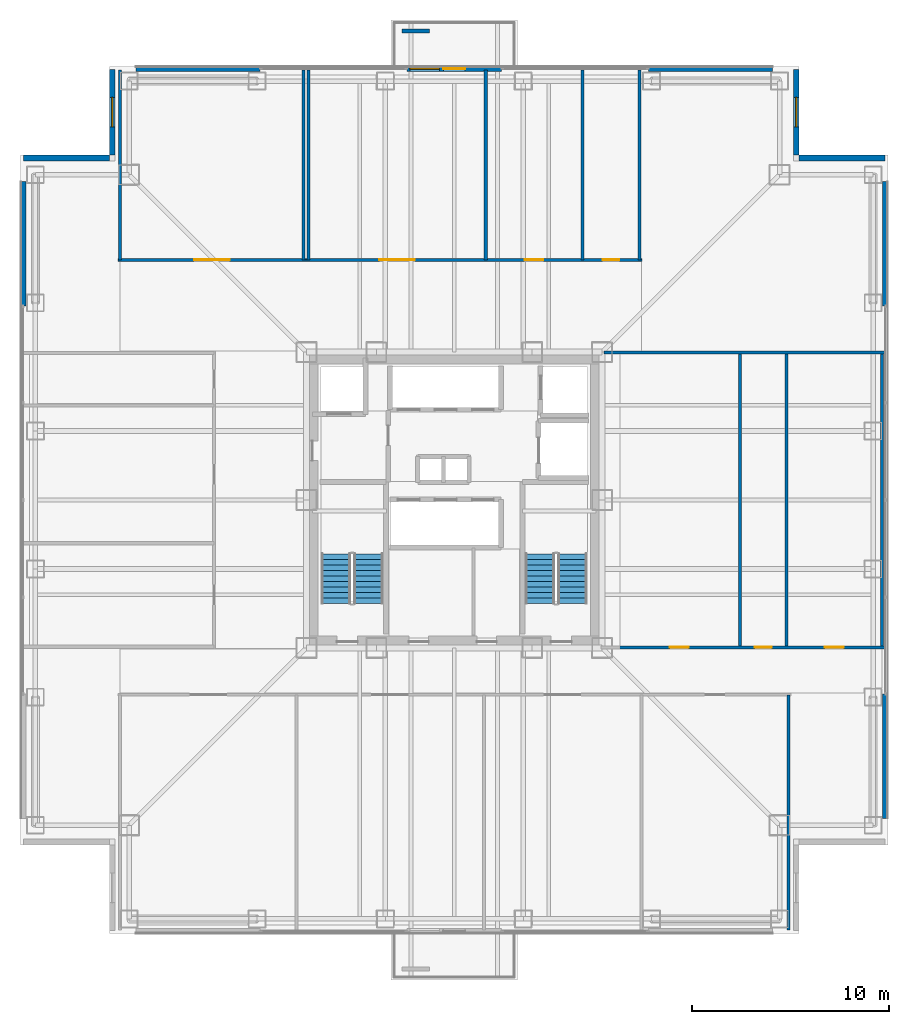
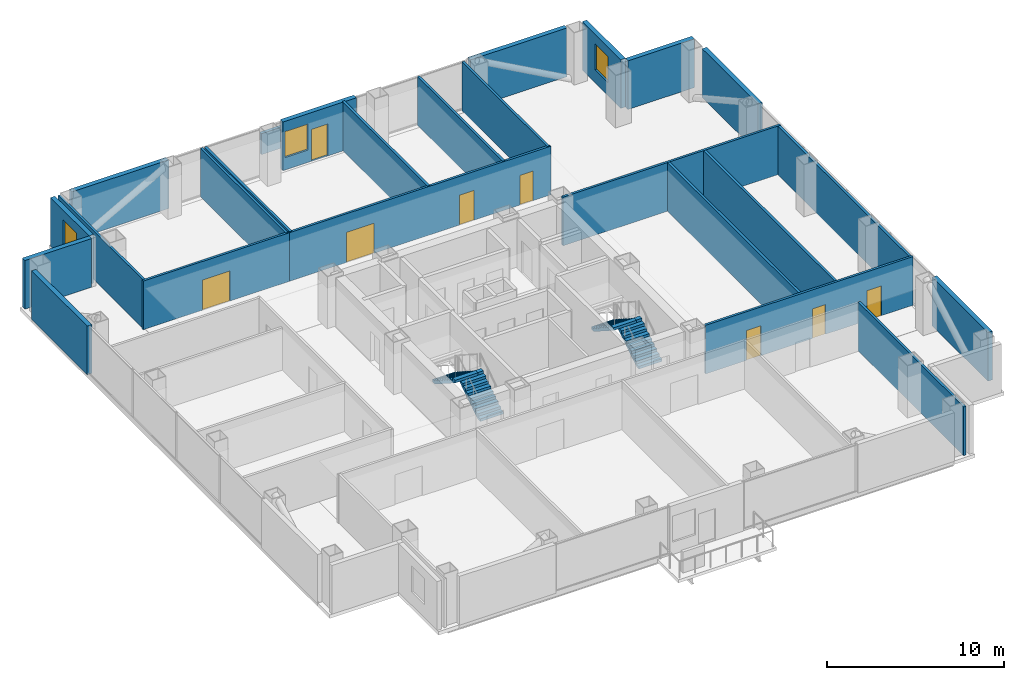
# One storey, part 11 of 14: 25 walls, 8 doors, 4 stair flights, 3 windows, 11 openings, 2 elements without a shape of their own.
"""IFC4 building model written with IfcOpenShell, lengths in metres."""

from ifc_helpers import new_model, si_unit, direction, frame, frame_2d, origin, place, context, subcontext, project, spatial, polyline, rectangle, outline, extrude, material, layer, layer_set, type_object, element, fill, aggregate, save


model = new_model("IFC4")

# Units and contexts
model_context = context("Model", 3, precision=1e-05, world=origin(), true_north=direction((0.0, 1.0)))
body_context = subcontext(model_context, "Body", "Model", "MODEL_VIEW")
ifc_project = project(units=[si_unit("LENGTHUNIT", "METRE"), si_unit("AREAUNIT", "SQUARE_METRE"), si_unit("VOLUMEUNIT", "CUBIC_METRE"), si_unit("PLANEANGLEUNIT", "RADIAN"), si_unit("MASSUNIT", "GRAM", prefix="KILO")], contexts=[model_context])

# Site, building, storey
site_placement = place(None, origin())
site = spatial("IfcSite", under=ifc_project, at=site_placement, CompositionType="ELEMENT")
building_placement = place(site_placement, origin())
building = spatial("IfcBuilding", under=site, at=building_placement, Name="Trevonay Congress Spire", CompositionType="ELEMENT")
storey_placement = place(building_placement, frame((0.0, 0.0, 133.60009765625)))
storey = spatial("IfcBuildingStorey", under=building, at=storey_placement, Name="L34", CompositionType="ELEMENT", Elevation=133.60009765625)

# Wall, opening, door
ifc_material_1 = material(Name="Concrete C40/50", Category="concrete")
ifc_layer_1 = layer(ifc_material_1, 0.14990234375, Name="Concrete C40/50")
ifc_layer_set_1 = layer_set([ifc_layer_1], Name="Concrete C40/50")
wall_type_1 = type_object("IfcWallType", Name="WAL-CORR-150", PredefinedType="PARTITIONING", material=ifc_layer_set_1)
wall_1_placement = place(storey_placement, frame((-17.070068359375, 12.179931640625, 0.0), z_axis=(0.0, 0.0, 1.0), x_axis=(1.0, 0.0, 0.0)))
wall_1 = element("IfcWall", 1, at=wall_1_placement, inside=storey, type_object=wall_type_1, Name="L34 interior wall WP-L34NW-COR", PredefinedType="PARTITIONING", context=body_context, shape_type="SweptSolid", body=[
    extrude(rectangle(XDim=9.5400390625, YDim=0.14990234375, at=frame_2d((4.77001953125, 0.0))), origin(), (0.0, 0.0, 1.0), 3.35986328125),
])
opening_1_placement = place(wall_1_placement, frame((3.8701171875, 0.0, 0.0)))
opening_1 = element("IfcOpeningElement", 2, at=opening_1_placement, cuts=wall_1, Name="Opening D09", PredefinedType="OPENING", context=body_context, shape_type="SweptSolid", body=[
    extrude(rectangle(XDim=1.800048828125, YDim=2.080078125, at=frame_2d((0.89990234375, 1.0400390625))), frame((0.0, 0.0849609375, 0.0), z_axis=(0.0, -1.0, 0.0), x_axis=(1.0, 0.0, 0.0)), (0.0, 0.0, 1.0), 0.169921875),
])
ifc_material_2 = material(Name="Pale Anodised Aluminium EN AW-6063-T6", Category="aluminium")
door_type_1 = type_object("IfcDoorType", Name="DOR-CONF-DBL", OperationType="DOUBLE_DOOR_SINGLE_SWING", PredefinedType="DOOR", material=ifc_material_2)
door_1_placement = place(opening_1_placement, origin())
door_1 = element("IfcDoor", 3, at=door_1_placement, inside=storey, type_object=door_type_1, Name="L34 Digital Media Study Lounge Door", OperationType="DOUBLE_DOOR_SINGLE_SWING", OverallHeight=2.080078125, OverallWidth=1.800048828125, PredefinedType="DOOR", context=body_context, shape_type="SweptSolid", body=[
    extrude(rectangle(XDim=1.800048828125, YDim=2.080078125, at=frame_2d((0.89990234375, 1.0400390625))), frame((0.0, 0.02490234375, 0.0), z_axis=(0.0, -1.0, 0.0), x_axis=(1.0, 0.0, 0.0)), (0.0, 0.0, 1.0), 0.050048828125),
])
fill(opening_1, door_1)

# Wall, openings, doors
wall_2_placement = place(storey_placement, frame((-7.52001953125, 12.179931640625, 0.0), z_axis=(0.0, 0.0, 1.0), x_axis=(1.0, 0.0, 0.0)))
wall_2 = element("IfcWall", 4, at=wall_2_placement, inside=storey, type_object=wall_type_1, Name="L34 interior wall WP-L34NE-COR", PredefinedType="PARTITIONING", context=body_context, shape_type="SweptSolid", body=[
    extrude(rectangle(XDim=17.0400390625, YDim=0.14990234375, at=frame_2d((8.52001953125, 0.0))), origin(), (0.0, 0.0, 1.0), 3.35986328125),
])
opening_2_placement = place(wall_2_placement, frame((3.719970703125, 0.0, 0.0)))
opening_2 = element("IfcOpeningElement", 5, at=opening_2_placement, cuts=wall_2, Name="Opening D09", PredefinedType="OPENING", context=body_context, shape_type="SweptSolid", body=[
    extrude(rectangle(XDim=1.800048828125, YDim=2.080078125, at=frame_2d((0.89990234375, 1.0400390625))), frame((0.0, 0.0849609375, 0.0), z_axis=(0.0, -1.0, 0.0), x_axis=(1.0, 0.0, 0.0)), (0.0, 0.0, 1.0), 0.169921875),
])
opening_3_placement = place(wall_2_placement, frame((11.094970703125, 0.0, 0.0)))
opening_3 = element("IfcOpeningElement", 6, at=opening_3_placement, cuts=wall_2, Name="Opening D07", PredefinedType="OPENING", context=body_context, shape_type="SweptSolid", body=[
    extrude(rectangle(XDim=0.949951171875, YDim=2.06005859375, at=frame_2d((0.47509765625, 1.030029296875))), frame((0.0, 0.0849609375, 0.0), z_axis=(0.0, -1.0, 0.0), x_axis=(1.0, 0.0, 0.0)), (0.0, 0.0, 1.0), 0.169921875),
])
opening_4_placement = place(wall_2_placement, frame((15.044921875, 0.0, 0.0)))
opening_4 = element("IfcOpeningElement", 7, at=opening_4_placement, cuts=wall_2, Name="Opening D10", PredefinedType="OPENING", context=body_context, shape_type="SweptSolid", body=[
    extrude(rectangle(XDim=0.85009765625, YDim=2.050048828125, at=frame_2d((0.425048828125, 1.02490234375))), frame((0.0, 0.0849609375, 0.0), z_axis=(0.0, -1.0, 0.0), x_axis=(1.0, 0.0, 0.0)), (0.0, 0.0, 1.0), 0.169921875),
])
door_2_placement = place(opening_2_placement, origin())
door_2 = element("IfcDoor", 8, at=door_2_placement, inside=storey, type_object=door_type_1, Name="L34 Archive Reading Salon Door", OperationType="DOUBLE_DOOR_SINGLE_SWING", OverallHeight=2.080078125, OverallWidth=1.800048828125, PredefinedType="DOOR", context=body_context, shape_type="SweptSolid", body=[
    extrude(rectangle(XDim=1.800048828125, YDim=2.080078125, at=frame_2d((0.89990234375, 1.0400390625))), frame((0.0, 0.02490234375, 0.0), z_axis=(0.0, -1.0, 0.0), x_axis=(1.0, 0.0, 0.0)), (0.0, 0.0, 1.0), 0.050048828125),
])
fill(opening_2, door_2)
door_type_2 = type_object("IfcDoorType", Name="DOR-OFFICE-95", OperationType="NOTDEFINED", PredefinedType="DOOR", material=ifc_material_2)
door_3_placement = place(opening_3_placement, origin())
door_3 = element("IfcDoor", 9, at=door_3_placement, inside=storey, type_object=door_type_2, Name="L34 Academic Pantry Door", OperationType="SINGLE_SWING_LEFT", OverallHeight=2.06005859375, OverallWidth=0.949951171875, PredefinedType="DOOR", context=body_context, shape_type="SweptSolid", body=[
    extrude(rectangle(XDim=0.949951171875, YDim=2.06005859375, at=frame_2d((0.47509765625, 1.030029296875))), frame((0.0, 0.02490234375, 0.0), z_axis=(0.0, -1.0, 0.0), x_axis=(1.0, 0.0, 0.0)), (0.0, 0.0, 1.0), 0.050048828125),
])
fill(opening_3, door_3)
door_type_3 = type_object("IfcDoorType", Name="DOR-WC-85", OperationType="NOTDEFINED", PredefinedType="DOOR", material=ifc_material_2)
door_4_placement = place(opening_4_placement, origin())
door_4 = element("IfcDoor", 10, at=door_4_placement, inside=storey, type_object=door_type_3, Name="L34 Female Restroom WC Door", OperationType="SINGLE_SWING_RIGHT", OverallHeight=2.050048828125, OverallWidth=0.85009765625, PredefinedType="DOOR", context=body_context, shape_type="SweptSolid", body=[
    extrude(rectangle(XDim=0.85009765625, YDim=2.050048828125, at=frame_2d((0.425048828125, 1.02490234375))), frame((0.0, 0.02490234375, 0.0), z_axis=(0.0, -1.0, 0.0), x_axis=(1.0, 0.0, 0.0)), (0.0, 0.0, 1.0), 0.050048828125),
])
fill(opening_4, door_4)

wall_3_placement = place(storey_placement, frame((8.280029296875, -7.47998046875, 0.0), z_axis=(0.0, 0.0, 1.0), x_axis=(1.0, 0.0, 0.0)))
wall_3 = element("IfcWall", 11, at=wall_3_placement, inside=storey, type_object=wall_type_1, Name="L34 interior wall WP-L34E-COR", PredefinedType="PARTITIONING", context=body_context, shape_type="SweptSolid", body=[
    extrude(rectangle(XDim=13.5400390625, YDim=0.14990234375, at=frame_2d((6.77001953125, 0.0))), origin(), (0.0, 0.0, 1.0), 3.35986328125),
])
opening_5_placement = place(wall_3_placement, frame((2.655029296875, 0.0, 0.0)))
opening_5 = element("IfcOpeningElement", 12, at=opening_5_placement, cuts=wall_3, Name="Opening D07", PredefinedType="OPENING", context=body_context, shape_type="SweptSolid", body=[
    extrude(rectangle(XDim=0.949951171875, YDim=2.06005859375, at=frame_2d((0.47509765625, 1.030029296875))), frame((0.0, 0.0849609375, 0.0), z_axis=(0.0, -1.0, 0.0), x_axis=(1.0, 0.0, 0.0)), (0.0, 0.0, 1.0), 0.169921875),
])
opening_6_placement = place(wall_3_placement, frame((6.969970703125, 0.0, 0.0)))
opening_6 = element("IfcOpeningElement", 13, at=opening_6_placement, cuts=wall_3, Name="Opening D10", PredefinedType="OPENING", context=body_context, shape_type="SweptSolid", body=[
    extrude(rectangle(XDim=0.85009765625, YDim=2.050048828125, at=frame_2d((0.425048828125, 1.02490234375))), frame((0.0, 0.0849609375, 0.0), z_axis=(0.0, -1.0, 0.0), x_axis=(1.0, 0.0, 0.0)), (0.0, 0.0, 1.0), 0.169921875),
])
opening_7_placement = place(wall_3_placement, frame((10.52001953125, 0.0, 0.0)))
opening_7 = element("IfcOpeningElement", 14, at=opening_7_placement, cuts=wall_3, Name="Opening D07", PredefinedType="OPENING", context=body_context, shape_type="SweptSolid", body=[
    extrude(rectangle(XDim=0.949951171875, YDim=2.06005859375, at=frame_2d((0.47509765625, 1.030029296875))), frame((0.0, 0.0849609375, 0.0), z_axis=(0.0, -1.0, 0.0), x_axis=(1.0, 0.0, 0.0)), (0.0, 0.0, 1.0), 0.169921875),
])
door_5_placement = place(opening_5_placement, origin())
door_5 = element("IfcDoor", 15, at=door_5_placement, inside=storey, type_object=door_type_2, Name="L34 Curriculum Office East Door", OperationType="SINGLE_SWING_LEFT", OverallHeight=2.06005859375, OverallWidth=0.949951171875, PredefinedType="DOOR", context=body_context, shape_type="SweptSolid", body=[
    extrude(rectangle(XDim=0.949951171875, YDim=2.06005859375, at=frame_2d((0.47509765625, 1.030029296875))), frame((0.0, 0.02490234375, 0.0), z_axis=(0.0, -1.0, 0.0), x_axis=(1.0, 0.0, 0.0)), (0.0, 0.0, 1.0), 0.050048828125),
])
fill(opening_5, door_5)
door_6_placement = place(opening_7_placement, origin())
door_6 = element("IfcDoor", 16, at=door_6_placement, inside=storey, type_object=door_type_2, Name="L34 Floor Supplies and Copy Room Door", OperationType="SINGLE_SWING_LEFT", OverallHeight=2.06005859375, OverallWidth=0.949951171875, PredefinedType="DOOR", context=body_context, shape_type="SweptSolid", body=[
    extrude(rectangle(XDim=0.949951171875, YDim=2.06005859375, at=frame_2d((0.47509765625, 1.030029296875))), frame((0.0, 0.02490234375, 0.0), z_axis=(0.0, -1.0, 0.0), x_axis=(1.0, 0.0, 0.0)), (0.0, 0.0, 1.0), 0.050048828125),
])
fill(opening_7, door_6)
door_7_placement = place(opening_6_placement, origin())
door_7 = element("IfcDoor", 17, at=door_7_placement, inside=storey, type_object=door_type_3, Name="L34 Male Restroom WC Door", OperationType="SINGLE_SWING_RIGHT", OverallHeight=2.050048828125, OverallWidth=0.85009765625, PredefinedType="DOOR", context=body_context, shape_type="SweptSolid", body=[
    extrude(rectangle(XDim=0.85009765625, YDim=2.050048828125, at=frame_2d((0.425048828125, 1.02490234375))), frame((0.0, 0.02490234375, 0.0), z_axis=(0.0, -1.0, 0.0), x_axis=(1.0, 0.0, 0.0)), (0.0, 0.0, 1.0), 0.050048828125),
])
fill(opening_6, door_7)

# Walls
ifc_material_3 = material(Name="Precast concrete C40/50", Category="concrete")
ifc_layer_2 = layer(ifc_material_3, 0.300048828125, Name="Precast concrete C40/50")
ifc_layer_set_2 = layer_set([ifc_layer_2], Name="Precast concrete C40/50")
wall_type_2 = type_object("IfcWallType", Name="WAL-EXT-PRECAST-300", PredefinedType="SOLIDWALL", material=ifc_layer_set_2)
for number, where, z_axis, x_axis, name in (
    (18, (-16.14990234375, 21.8798828125, 0.0), (0.0, 0.0, 1.0), (1.0, 0.0, 0.0), "L34 NL braced-bay exterior pier wall"),
    (19, (9.85009765625, 21.8798828125, 0.0), (0.0, 0.0, 1.0), (1.0, 0.0, 0.0), "L34 NR braced-bay exterior pier wall"),
):
    element("IfcWall", number, at=place(storey_placement, frame(where, z_axis=z_axis, x_axis=x_axis)), inside=storey, type_object=wall_type_2, Name=name, PredefinedType="SOLIDWALL", context=body_context, shape_type="SweptSolid", body=[
        extrude(rectangle(XDim=6.2998046875, YDim=0.300048828125, at=frame_2d((3.14990234375, 0.0))), origin(), (0.0, 0.0, 1.0), 3.35986328125),
    ])

# Wall, openings, door, window
wall_4_placement = place(storey_placement, frame((-2.39990234375, 21.8798828125, 0.0), z_axis=(0.0, 0.0, 1.0), x_axis=(1.0, 0.0, 0.0)))
wall_4 = element("IfcWall", 20, at=wall_4_placement, inside=storey, type_object=wall_type_2, Name="L34 N glazed balcony portal exterior wall", PredefinedType="SOLIDWALL", context=body_context, shape_type="SweptSolid", body=[
    extrude(rectangle(XDim=4.7998046875, YDim=0.300048828125, at=frame_2d((2.39990234375, 0.0))), origin(), (0.0, 0.0, 1.0), 3.35986328125),
])
opening_8_placement = place(wall_4_placement, frame((1.85009765625, 0.0, 0.0)))
opening_8 = element("IfcOpeningElement", 21, at=opening_8_placement, cuts=wall_4, Name="Opening D03", PredefinedType="OPENING", context=body_context, shape_type="SweptSolid", body=[
    extrude(rectangle(XDim=1.10009765625, YDim=2.199951171875, at=frame_2d((0.550048828125, 1.10009765625))), frame((0.0, 0.16015625, 0.0), z_axis=(0.0, -1.0, 0.0), x_axis=(1.0, 0.0, 0.0)), (0.0, 0.0, 1.0), 0.320068359375),
])
opening_9_placement = place(wall_4_placement, frame((0.14990234375, 0.0, 0.85009765625)))
opening_9 = element("IfcOpeningElement", 22, at=opening_9_placement, cuts=wall_4, Name="Opening WN03", PredefinedType="OPENING", context=body_context, shape_type="SweptSolid", body=[
    extrude(rectangle(XDim=1.5, YDim=1.800048828125, at=frame_2d((0.75, 0.89990234375))), frame((0.0, 0.16015625, 0.0), z_axis=(0.0, -1.0, 0.0), x_axis=(1.0, 0.0, 0.0)), (0.0, 0.0, 1.0), 0.320068359375),
])
door_type_4 = type_object("IfcDoorType", Name="DOR-EXT-BAL-110", OperationType="NOTDEFINED", PredefinedType="DOOR", material=ifc_material_2)
door_8_placement = place(opening_8_placement, origin())
door_8 = element("IfcDoor", 23, at=door_8_placement, inside=storey, type_object=door_type_4, Name="L34 N glazed outdoor terrace and balcony door", OperationType="SINGLE_SWING_RIGHT", OverallHeight=2.199951171875, OverallWidth=1.10009765625, PredefinedType="DOOR", context=body_context, shape_type="SweptSolid", body=[
    extrude(rectangle(XDim=1.10009765625, YDim=2.199951171875, at=frame_2d((0.550048828125, 1.10009765625))), frame((0.0, 0.02490234375, 0.0), z_axis=(0.0, -1.0, 0.0), x_axis=(1.0, 0.0, 0.0)), (0.0, 0.0, 1.0), 0.050048828125),
])
fill(opening_8, door_8)
ifc_material_4 = material(Name="Insulated Low-E Vision Glass IGU", Category="glass")
window_type = type_object("IfcWindowType", Name="WIN-NOTCH-150X180", PartitioningType="SINGLE_PANEL", PredefinedType="WINDOW", material=ifc_material_4)
window_1_placement = place(opening_9_placement, origin())
window_1 = element("IfcWindow", 24, at=window_1_placement, inside=storey, type_object=window_type, Name="L34 N balcony sidelight window L", OverallHeight=1.800048828125, OverallWidth=1.5, PartitioningType="SINGLE_PANEL", PredefinedType="WINDOW", context=body_context, shape_type="SweptSolid", body=[
    extrude(rectangle(XDim=1.5, YDim=1.800048828125, at=frame_2d((0.75, 0.89990234375))), frame((0.0, 0.030029296875, 0.0), z_axis=(0.0, -1.0, 0.0), x_axis=(1.0, 0.0, 0.0)), (0.0, 0.0, 1.0), 0.06005859375),
])
fill(opening_9, window_1)

# Walls
for number, where, z_axis, x_axis, name in (
    (25, (-21.8798828125, 9.85009765625, 0.0), (0.0, 0.0, 1.0), (0.0, 1.0, 0.0), "L34 WR braced-bay exterior pier wall"),
    (26, (21.8798828125, -16.14990234375, 0.0), (0.0, 0.0, 1.0), (0.0, 1.0, 0.0), "L34 EL braced-bay exterior pier wall"),
    (27, (21.8798828125, 9.85009765625, 0.0), (0.0, 0.0, 1.0), (0.0, 1.0, 0.0), "L34 ER braced-bay exterior pier wall"),
):
    element("IfcWall", number, at=place(storey_placement, frame(where, z_axis=z_axis, x_axis=x_axis)), inside=storey, type_object=wall_type_2, Name=name, PredefinedType="SOLIDWALL", context=body_context, shape_type="SweptSolid", body=[
        extrude(rectangle(XDim=6.2998046875, YDim=0.300048828125, at=frame_2d((3.14990234375, 0.0))), origin(), (0.0, 0.0, 1.0), 3.35986328125),
    ])

# Wall, opening, window
wall_5_placement = place(storey_placement, frame((17.35009765625, 21.85009765625, 0.0), z_axis=(0.0, 0.0, 1.0), x_axis=(0.0, -1.0, 0.0)))
wall_5 = element("IfcWall", 28, at=wall_5_placement, inside=storey, type_object=wall_type_2, Name="L34 NE re-entrant notch exterior wall 1", PredefinedType="SOLIDWALL", context=body_context, shape_type="SweptSolid", body=[
    extrude(rectangle(XDim=4.35009765625, YDim=0.300048828125, at=frame_2d((2.175048828125, 0.0))), origin(), (0.0, 0.0, 1.0), 3.35986328125),
])
opening_10_placement = place(wall_5_placement, frame((1.425048828125, 0.0, 0.89990234375)))
opening_10 = element("IfcOpeningElement", 29, at=opening_10_placement, cuts=wall_5, Name="Opening WN03", PredefinedType="OPENING", context=body_context, shape_type="SweptSolid", body=[
    extrude(rectangle(XDim=1.5, YDim=1.800048828125, at=frame_2d((0.75, 0.89990234375))), frame((0.0, 0.16015625, 0.0), z_axis=(0.0, -1.0, 0.0), x_axis=(1.0, 0.0, 0.0)), (0.0, 0.0, 1.0), 0.320068359375),
])
window_2_placement = place(opening_10_placement, origin())
window_2 = element("IfcWindow", 30, at=window_2_placement, inside=storey, type_object=window_type, Name="L34 NE corner notch window", OverallHeight=1.800048828125, OverallWidth=1.5, PartitioningType="SINGLE_PANEL", PredefinedType="WINDOW", context=body_context, shape_type="SweptSolid", body=[
    extrude(rectangle(XDim=1.5, YDim=1.800048828125, at=frame_2d((0.75, 0.89990234375))), frame((0.0, 0.030029296875, 0.0), z_axis=(0.0, -1.0, 0.0), x_axis=(1.0, 0.0, 0.0)), (0.0, 0.0, 1.0), 0.06005859375),
])
fill(opening_10, window_2)

# Wall
wall_6_placement = place(storey_placement, frame((21.85009765625, 17.35009765625, 0.0), z_axis=(0.0, 0.0, 1.0), x_axis=(-1.0, 0.0, 0.0)))
element("IfcWall", 31, at=wall_6_placement, inside=storey, type_object=wall_type_2, Name="L34 NE re-entrant notch exterior wall 2", PredefinedType="SOLIDWALL", context=body_context, shape_type="SweptSolid", body=[
    extrude(rectangle(XDim=4.35009765625, YDim=0.300048828125, at=frame_2d((2.175048828125, 0.0))), origin(), (0.0, 0.0, 1.0), 3.35986328125),
])

# Wall, opening, window
wall_7_placement = place(storey_placement, frame((-17.35009765625, 21.85009765625, 0.0), z_axis=(0.0, 0.0, 1.0), x_axis=(0.0, -1.0, 0.0)))
wall_7 = element("IfcWall", 32, at=wall_7_placement, inside=storey, type_object=wall_type_2, Name="L34 NW re-entrant notch exterior wall 1", PredefinedType="SOLIDWALL", context=body_context, shape_type="SweptSolid", body=[
    extrude(rectangle(XDim=4.35009765625, YDim=0.300048828125, at=frame_2d((2.175048828125, 0.0))), origin(), (0.0, 0.0, 1.0), 3.35986328125),
])
opening_11_placement = place(wall_7_placement, frame((1.425048828125, 0.0, 0.89990234375)))
opening_11 = element("IfcOpeningElement", 33, at=opening_11_placement, cuts=wall_7, Name="Opening WN03", PredefinedType="OPENING", context=body_context, shape_type="SweptSolid", body=[
    extrude(rectangle(XDim=1.5, YDim=1.800048828125, at=frame_2d((0.75, 0.89990234375))), frame((0.0, 0.16015625, 0.0), z_axis=(0.0, -1.0, 0.0), x_axis=(1.0, 0.0, 0.0)), (0.0, 0.0, 1.0), 0.320068359375),
])
window_3_placement = place(opening_11_placement, origin())
window_3 = element("IfcWindow", 34, at=window_3_placement, inside=storey, type_object=window_type, Name="L34 NW corner notch window", OverallHeight=1.800048828125, OverallWidth=1.5, PartitioningType="SINGLE_PANEL", PredefinedType="WINDOW", context=body_context, shape_type="SweptSolid", body=[
    extrude(rectangle(XDim=1.5, YDim=1.800048828125, at=frame_2d((0.75, 0.89990234375))), frame((0.0, 0.030029296875, 0.0), z_axis=(0.0, -1.0, 0.0), x_axis=(1.0, 0.0, 0.0)), (0.0, 0.0, 1.0), 0.06005859375),
])
fill(opening_11, window_3)

# Walls
wall_8_placement = place(storey_placement, frame((-21.85009765625, 17.35009765625, 0.0), z_axis=(0.0, 0.0, 1.0), x_axis=(1.0, 0.0, 0.0)))
element("IfcWall", 35, at=wall_8_placement, inside=storey, type_object=wall_type_2, Name="L34 NW re-entrant notch exterior wall 2", PredefinedType="SOLIDWALL", context=body_context, shape_type="SweptSolid", body=[
    extrude(rectangle(XDim=4.35009765625, YDim=0.300048828125, at=frame_2d((2.175048828125, 0.0))), origin(), (0.0, 0.0, 1.0), 3.35986328125),
])
ifc_layer_3 = layer(ifc_material_1, 0.14990234375, Name="Concrete C40/50")
ifc_layer_set_3 = layer_set([ifc_layer_3], Name="Concrete C40/50")
wall_type_3 = type_object("IfcWallType", Name="WAL-PART-150", PredefinedType="PARTITIONING", material=ifc_layer_set_3)
wall_9_placement = place(storey_placement, frame((16.949951171875, -21.820068359375, 0.0), z_axis=(0.0, 0.0, 1.0), x_axis=(0.0, 1.0, 0.0)))
element("IfcWall", 36, at=wall_9_placement, inside=storey, type_object=wall_type_3, Name="L34 interior wall WP-L34S-DIV5", PredefinedType="PARTITIONING", context=body_context, shape_type="SweptSolid", body=[
    extrude(rectangle(XDim=11.940185546875, YDim=0.14990234375, at=frame_2d((5.97021484375, 0.0))), origin(), (0.0, 0.0, 1.0), 3.35986328125),
])
for number, where, z_axis, x_axis, name in (
    (37, (-16.949951171875, 12.179931640625, 0.0), (0.0, 0.0, 1.0), (0.0, 1.0, 0.0), "L34 interior wall WP-L34NW-DIV1"),
    (38, (-7.64990234375, 12.179931640625, 0.0), (0.0, 0.0, 1.0), (0.0, 1.0, 0.0), "L34 interior wall WP-L34NW-DIV2"),
    (39, (6.5, 12.179931640625, 0.0), (0.0, 0.0, 1.0), (0.0, 1.0, 0.0), "L34 interior wall WP-L34NE-DIV3"),
    (40, (9.39990234375, 12.179931640625, 0.0), (0.0, 0.0, 1.0), (0.0, 1.0, 0.0), "L34 interior wall WP-L34NE-DIV4"),
):
    element("IfcWall", number, at=place(storey_placement, frame(where, z_axis=z_axis, x_axis=x_axis)), inside=storey, type_object=wall_type_3, Name=name, PredefinedType="PARTITIONING", context=body_context, shape_type="SweptSolid", body=[
        extrude(rectangle(XDim=9.64013671875, YDim=0.14990234375, at=frame_2d((4.820068359375, 0.0))), origin(), (0.0, 0.0, 1.0), 3.35986328125),
    ])
wall_10_placement = place(storey_placement, frame((7.60009765625, 7.47998046875, 0.0), z_axis=(0.0, 0.0, 1.0), x_axis=(1.0, 0.0, 0.0)))
element("IfcWall", 41, at=wall_10_placement, inside=storey, type_object=wall_type_3, Name="L34 interior wall WP-L34E-NCLS", PredefinedType="PARTITIONING", context=body_context, shape_type="SweptSolid", body=[
    extrude(rectangle(XDim=14.219970703125, YDim=0.14990234375, at=frame_2d((7.10986328125, 0.0))), origin(), (0.0, 0.0, 1.0), 3.35986328125),
])
ifc_layer_4 = layer(ifc_material_3, 0.199951171875, Name="Precast concrete C40/50")
ifc_layer_set_4 = layer_set([ifc_layer_4], Name="Precast concrete C40/50")
wall_type_4 = type_object("IfcWallType", Name="WAL-TREE-PLANTER-200", PredefinedType="PARAPET", material=ifc_layer_set_4)
wall_11_placement = place(storey_placement, frame((-2.64990234375, 23.800048828125, 0.0), z_axis=(0.0, 0.0, 1.0), x_axis=(1.0, 0.0, 0.0)))
element("IfcWall", 42, at=wall_11_placement, inside=storey, type_object=wall_type_4, Name="L34 N cantilevered balcony tree planter box", PredefinedType="PARAPET", context=body_context, shape_type="SweptSolid", body=[
    extrude(rectangle(XDim=1.39990234375, YDim=0.199951171875, at=frame_2d((0.699951171875, 0.0))), origin(), (0.0, 0.0, 1.0), 1.449951171875),
])
ifc_layer_5 = layer(ifc_material_1, 0.1650390625, Name="Concrete C40/50")
ifc_layer_set_5 = layer_set([ifc_layer_5], Name="Concrete C40/50")
wall_type_5 = type_object("IfcWallType", Name="WAL-WET-165", PredefinedType="PLUMBINGWALL", material=ifc_layer_set_5)
for number, where, z_axis, x_axis, name in (
    (43, (-7.39990234375, 12.179931640625, 0.0), (0.0, 0.0, 1.0), (0.0, 1.0, 0.0), "L34 interior wall WP-L34NE-DIV1"),
    (44, (1.60009765625, 12.179931640625, 0.0), (0.0, 0.0, 1.0), (0.0, 1.0, 0.0), "L34 interior wall WP-L34NE-DIV2"),
):
    element("IfcWall", number, at=place(storey_placement, frame(where, z_axis=z_axis, x_axis=x_axis)), inside=storey, type_object=wall_type_5, Name=name, PredefinedType="PLUMBINGWALL", context=body_context, shape_type="SweptSolid", body=[
        extrude(rectangle(XDim=9.64013671875, YDim=0.1650390625, at=frame_2d((4.820068359375, 0.0))), origin(), (0.0, 0.0, 1.0), 3.35986328125),
    ])
for number, where, z_axis, x_axis, name in (
    (45, (16.85009765625, -7.47998046875, 0.0), (0.0, 0.0, 1.0), (0.0, 1.0, 0.0), "L34 interior wall WP-L34E-WCS2"),
    (46, (14.5, -7.47998046875, 0.0), (0.0, 0.0, 1.0), (0.0, 1.0, 0.0), "L34 interior wall WP-L34E-DIV1"),
    (47, (21.699951171875, -7.47998046875, 0.0), (0.0, 0.0, 1.0), (0.0, 1.0, 0.0), "L34 interior wall WP-L34E-DIV2"),
):
    element("IfcWall", number, at=place(storey_placement, frame(where, z_axis=z_axis, x_axis=x_axis)), inside=storey, type_object=wall_type_5, Name=name, PredefinedType="PLUMBINGWALL", context=body_context, shape_type="SweptSolid", body=[
        extrude(rectangle(XDim=14.8798828125, YDim=0.1650390625, at=frame_2d((7.43994140625, 0.0))), origin(), (0.0, 0.0, 1.0), 3.35986328125),
    ])

# Stair, stair flights
stair_type_1 = type_object("IfcStairType", Name="STR-ST-1", PredefinedType="HALF_TURN_STAIR", material=ifc_material_1)
stair_1_placement = place(storey_placement, origin())
stair_1 = element("IfcStair", 48, at=stair_1_placement, inside=storey, type_object=stair_type_1, Name="L34 Protected Exit Stair ST-1", PredefinedType="HALF_TURN_STAIR")
stair_flight_type_1 = type_object("IfcStairFlightType", Name="SFL-ST-1", PredefinedType="STRAIGHT", material=ifc_material_1)
stair_flight_1_placement = place(storey_placement, frame((-4.35009765625, -5.25, 0.0), z_axis=(0.0, 0.0, 1.0), x_axis=(0.0, 1.0, 0.0)))
stair_flight_1 = element("IfcStairFlight", 49, at=stair_flight_1_placement, type_object=stair_flight_type_1, Name="ST-1 flight 1", NumberOfRisers=10, NumberOfTreads=9, PredefinedType="STRAIGHT", RiserHeight=0.18, TreadLength=0.28, context=body_context, shape_type="SweptSolid", body=[
    extrude(outline(polyline([(0.0, 0.0), (0.0, 0.179931640625), (0.280029296875, 0.179931640625), (0.280029296875, 0.360107421875), (0.56005859375, 0.360107421875), (0.56005859375, 0.5400390625), (0.840087890625, 0.5400390625), (0.840087890625, 0.719970703125), (1.1201171875, 0.719970703125), (1.1201171875, 0.89990234375), (1.39990234375, 0.89990234375), (1.39990234375, 1.080078125), (1.679931640625, 1.080078125), (1.679931640625, 1.260009765625), (1.9599609375, 1.260009765625), (1.9599609375, 1.43994140625), (2.239990234375, 1.43994140625), (2.239990234375, 1.6201171875), (2.52001953125, 1.6201171875), (2.52001953125, 1.800048828125), (2.52001953125, 1.44189453125), (0.277099609375, 0.0), (0.0, 0.0)])), frame((0.0, 0.75, 0.0), z_axis=(0.0, -1.0, 0.0), x_axis=(1.0, 0.0, 0.0)), (0.0, 0.0, 1.0), 1.5),
])
stair_flight_2_placement = place(storey_placement, frame((-6.0, -2.72998046875, 1.7998046875), z_axis=(0.0, 0.0, 1.0), x_axis=(0.0, -1.0, 0.0)))
stair_flight_2 = element("IfcStairFlight", 50, at=stair_flight_2_placement, type_object=stair_flight_type_1, Name="ST-1 flight 2", NumberOfRisers=10, NumberOfTreads=9, PredefinedType="STRAIGHT", RiserHeight=0.18, TreadLength=0.28, context=body_context, shape_type="SweptSolid", body=[
    extrude(outline(polyline([(0.0, 0.0), (0.0, 0.179931640625), (0.280029296875, 0.179931640625), (0.280029296875, 0.360107421875), (0.56005859375, 0.360107421875), (0.56005859375, 0.5400390625), (0.840087890625, 0.5400390625), (0.840087890625, 0.719970703125), (1.1201171875, 0.719970703125), (1.1201171875, 0.89990234375), (1.39990234375, 0.89990234375), (1.39990234375, 1.080078125), (1.679931640625, 1.080078125), (1.679931640625, 1.260009765625), (1.9599609375, 1.260009765625), (1.9599609375, 1.43994140625), (2.239990234375, 1.43994140625), (2.239990234375, 1.6201171875), (2.52001953125, 1.6201171875), (2.52001953125, 1.800048828125), (2.52001953125, 1.44189453125), (0.277099609375, 0.0), (0.0, 0.0)])), frame((0.0, 0.75, 0.0), z_axis=(0.0, -1.0, 0.0), x_axis=(1.0, 0.0, 0.0)), (0.0, 0.0, 1.0), 1.5),
])
aggregate(stair_1, [stair_flight_1, stair_flight_2])

stair_type_2 = type_object("IfcStairType", Name="STR-ST-2", PredefinedType="HALF_TURN_STAIR", material=ifc_material_1)
stair_2_placement = place(storey_placement, origin())
stair_2 = element("IfcStair", 51, at=stair_2_placement, inside=storey, type_object=stair_type_2, Name="L34 Protected Exit Stair ST-2", PredefinedType="HALF_TURN_STAIR")
stair_flight_type_2 = type_object("IfcStairFlightType", Name="SFL-ST-2", PredefinedType="STRAIGHT", material=ifc_material_1)
stair_flight_3_placement = place(storey_placement, frame((6.0, -5.25, 0.0), z_axis=(0.0, 0.0, 1.0), x_axis=(0.0, 1.0, 0.0)))
stair_flight_3 = element("IfcStairFlight", 52, at=stair_flight_3_placement, type_object=stair_flight_type_2, Name="ST-2 flight 1", NumberOfRisers=10, NumberOfTreads=9, PredefinedType="STRAIGHT", RiserHeight=0.18, TreadLength=0.28, context=body_context, shape_type="SweptSolid", body=[
    extrude(outline(polyline([(0.0, 0.0), (0.0, 0.179931640625), (0.280029296875, 0.179931640625), (0.280029296875, 0.360107421875), (0.56005859375, 0.360107421875), (0.56005859375, 0.5400390625), (0.840087890625, 0.5400390625), (0.840087890625, 0.719970703125), (1.1201171875, 0.719970703125), (1.1201171875, 0.89990234375), (1.39990234375, 0.89990234375), (1.39990234375, 1.080078125), (1.679931640625, 1.080078125), (1.679931640625, 1.260009765625), (1.9599609375, 1.260009765625), (1.9599609375, 1.43994140625), (2.239990234375, 1.43994140625), (2.239990234375, 1.6201171875), (2.52001953125, 1.6201171875), (2.52001953125, 1.800048828125), (2.52001953125, 1.44189453125), (0.277099609375, 0.0), (0.0, 0.0)])), frame((0.0, 0.75, 0.0), z_axis=(0.0, -1.0, 0.0), x_axis=(1.0, 0.0, 0.0)), (0.0, 0.0, 1.0), 1.5),
])
stair_flight_4_placement = place(storey_placement, frame((4.35009765625, -2.72998046875, 1.7998046875), z_axis=(0.0, 0.0, 1.0), x_axis=(0.0, -1.0, 0.0)))
stair_flight_4 = element("IfcStairFlight", 53, at=stair_flight_4_placement, type_object=stair_flight_type_2, Name="ST-2 flight 2", NumberOfRisers=10, NumberOfTreads=9, PredefinedType="STRAIGHT", RiserHeight=0.18, TreadLength=0.28, context=body_context, shape_type="SweptSolid", body=[
    extrude(outline(polyline([(0.0, 0.0), (0.0, 0.179931640625), (0.280029296875, 0.179931640625), (0.280029296875, 0.360107421875), (0.56005859375, 0.360107421875), (0.56005859375, 0.5400390625), (0.840087890625, 0.5400390625), (0.840087890625, 0.719970703125), (1.1201171875, 0.719970703125), (1.1201171875, 0.89990234375), (1.39990234375, 0.89990234375), (1.39990234375, 1.080078125), (1.679931640625, 1.080078125), (1.679931640625, 1.260009765625), (1.9599609375, 1.260009765625), (1.9599609375, 1.43994140625), (2.239990234375, 1.43994140625), (2.239990234375, 1.6201171875), (2.52001953125, 1.6201171875), (2.52001953125, 1.800048828125), (2.52001953125, 1.44189453125), (0.277099609375, 0.0), (0.0, 0.0)])), frame((0.0, 0.75, 0.0), z_axis=(0.0, -1.0, 0.0), x_axis=(1.0, 0.0, 0.0)), (0.0, 0.0, 1.0), 1.5),
])
aggregate(stair_2, [stair_flight_3, stair_flight_4])

save(model, "model.ifc")
